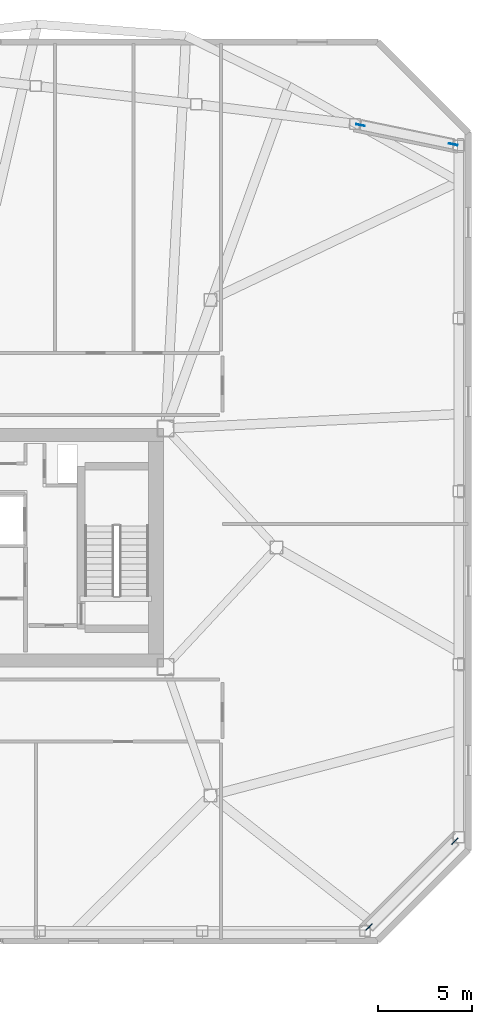
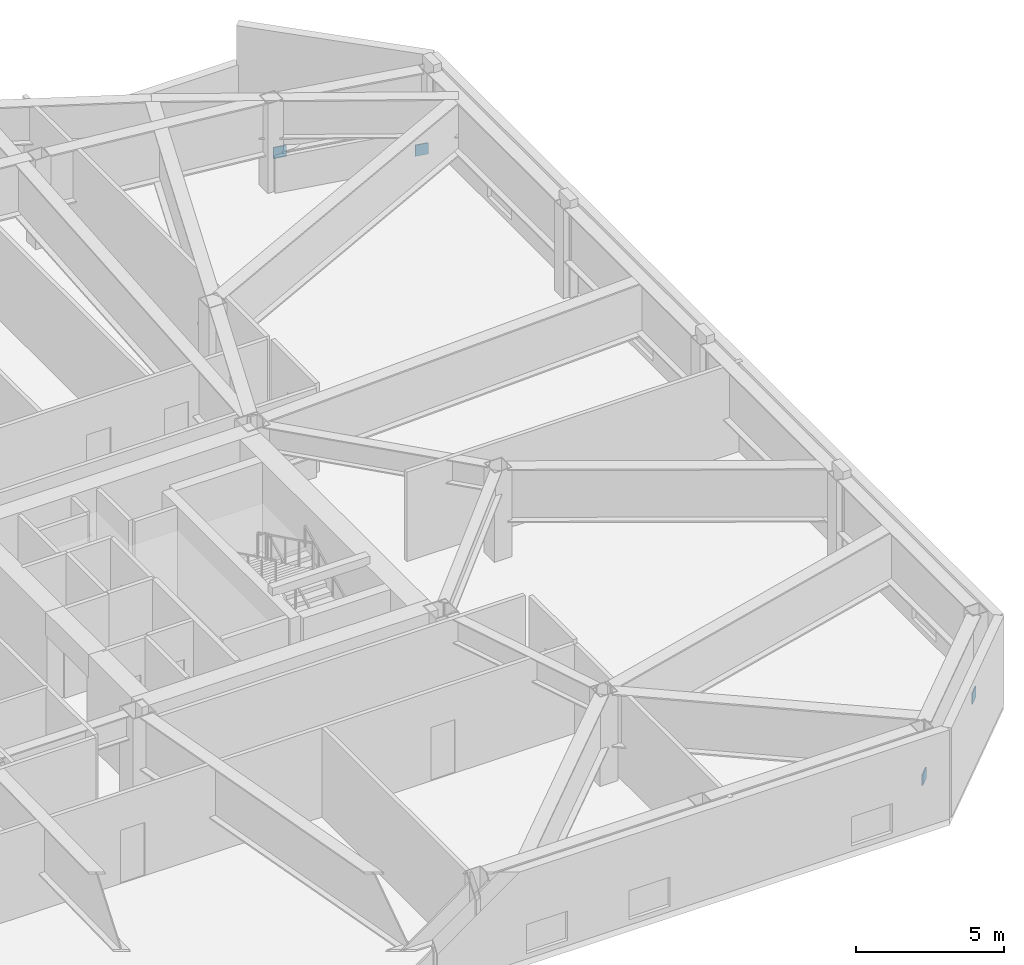
# One storey, part 18 of 19: 4 discrete accessories.
"""IFC4 building model written with IfcOpenShell, lengths in metres."""

import ifcopenshell
import ifcopenshell.guid

model = None  # the IFC model being written
_history = None  # IfcOwnerHistory: only IFC2X3 demands one
_inside = {}  # id of a spatial element -> (the spatial element, [elements in it])
_under = {}  # id of a project, library or spatial element -> (it, [spatial elements below it])
_declared = {}  # id of a project -> (the project, [libraries it declares])
_typed = {}  # id of a type object -> (the type object, [elements of that type])
_made_of = {}  # id of a material, layer set ... -> (it, [elements and type objects made of it])


def new_model(schema):
    """Start an empty IFC model of exactly this schema.

    Asked for "IFC4X3", IfcOpenShell would pick the latest addendum, in which some entities
    have other attributes; the version numbers below select the first issue.
    IFC2X3 requires an IfcOwnerHistory on every rooted entity: one is made here for all.
    """
    global model, _history
    if schema == "IFC4X3":
        model = ifcopenshell.file(schema_version=(4, 3, 0, 0))
    else:
        model = ifcopenshell.file(schema=schema)
    _inside.clear()
    _under.clear()
    _declared.clear()
    _typed.clear()
    _made_of.clear()
    _history = None
    if model.schema == "IFC2X3":
        org = make("IfcOrganization", Name="unknown")
        user = make(
            "IfcPersonAndOrganization",
            ThePerson=make("IfcPerson", FamilyName="unknown"),
            TheOrganization=org,
        )
        app = make(
            "IfcApplication",
            ApplicationDeveloper=org,
            Version="unknown",
            ApplicationFullName="unknown",
            ApplicationIdentifier="unknown",
        )
        _history = make(
            "IfcOwnerHistory",
            OwningUser=user,
            OwningApplication=app,
            ChangeAction="ADDED",
            CreationDate=0,
        )
    return model


def make(cls, **values):
    """One entity of the class cls with the attributes given. An attribute that is None is left unset."""
    return model.create_entity(
        cls, **{name: value for name, value in values.items() if value is not None}
    )


def rooted(cls, **values):
    """An entity with a GlobalId (a new one), such as an element, a storey or a relation."""
    return make(cls, GlobalId=ifcopenshell.guid.new(), OwnerHistory=_history, **values)


def si_unit(unit_type, name, prefix=None):
    """IfcSIUnit, for example si_unit("LENGTHUNIT", "METRE", prefix="MILLI")."""
    return make("IfcSIUnit", UnitType=unit_type, Prefix=prefix, Name=name)


def assignment(units):
    """IfcUnitAssignment: the units of a project."""
    return None if units is None else make("IfcUnitAssignment", Units=units)


def point(xyz):
    """IfcCartesianPoint."""
    return None if xyz is None else make("IfcCartesianPoint", Coordinates=xyz)


def direction(xyz):
    """IfcDirection."""
    return None if xyz is None else make("IfcDirection", DirectionRatios=xyz)


def frame(location, z_axis=None, x_axis=None):
    """IfcAxis2Placement3D, a coordinate frame: its origin and axes. An axis left out is left unset."""
    return make(
        "IfcAxis2Placement3D",
        Location=point(location),
        Axis=direction(z_axis),
        RefDirection=direction(x_axis),
    )


def frame_2d(location, x_axis=None):
    """IfcAxis2Placement2D, a coordinate frame in the plane: its origin and x axis."""
    return make(
        "IfcAxis2Placement2D", Location=point(location), RefDirection=direction(x_axis)
    )


def origin():
    """The frame at (0, 0, 0) with its axes left unset."""
    return frame((0.0, 0.0, 0.0))


def origin_2d():
    """The frame at (0, 0) in the plane with its x axis left unset."""
    return frame_2d((0.0, 0.0))


def place(relative_to, where):
    """IfcLocalPlacement: puts the frame where relative to a parent placement (None: the world)."""
    return make(
        "IfcLocalPlacement", PlacementRelTo=relative_to, RelativePlacement=where
    )


def context(
    kind, dimensions, precision=None, world=None, true_north=None, identifier=None
):
    """IfcGeometricRepresentationContext, for example the 3D "Model" context."""
    return make(
        "IfcGeometricRepresentationContext",
        ContextIdentifier=identifier,
        ContextType=kind,
        CoordinateSpaceDimension=dimensions,
        Precision=precision,
        WorldCoordinateSystem=world,
        TrueNorth=true_north,
    )


def subcontext(parent, identifier, kind, view, scale=None):
    """IfcGeometricRepresentationSubContext, for example "Body" below "Model"."""
    return make(
        "IfcGeometricRepresentationSubContext",
        ContextIdentifier=identifier,
        ContextType=kind,
        ParentContext=parent,
        TargetScale=scale,
        TargetView=view,
    )


def project(units=None, contexts=None):
    """IfcProject with its units and contexts."""
    return rooted(
        "IfcProject",
        Name="project",
        RepresentationContexts=contexts,
        UnitsInContext=assignment(units),
    )


def spatial(cls, under=None, at=None, **own):
    """A site, building, storey or space (cls), placed at a placement, below another one or the project."""
    s = rooted(cls, ObjectPlacement=at, **own)
    if under is not None:
        _under.setdefault(under.id(), (under, []))[1].append(s)
    return s


def profile(cls, at=None, kind="AREA", **sizes):
    """A parametric profile (cls). Its sizes go by their IFC names, for example OverallWidth=200.0."""
    return make(cls, ProfileType=kind, Position=at, **sizes)


def rectangle(**sizes):
    """IfcRectangleProfileDef."""
    return profile("IfcRectangleProfileDef", **sizes)


def extrude(swept, where, along, depth):
    """IfcExtrudedAreaSolid: the profile swept, set in the frame where, extruded along a direction by depth."""
    return make(
        "IfcExtrudedAreaSolid",
        SweptArea=swept,
        Position=where,
        ExtrudedDirection=direction(along),
        Depth=depth,
    )


def shape(context_of_items, identifier, shape_type, items):
    """IfcShapeRepresentation: the items that make up one representation, for example the "Body"."""
    return make(
        "IfcShapeRepresentation",
        ContextOfItems=context_of_items,
        RepresentationIdentifier=identifier,
        RepresentationType=shape_type,
        Items=items,
    )


def material(Name=None, Category=None):
    """IfcMaterial."""
    return make("IfcMaterial", Name=Name, Category=Category)


def made_of(thing, what):
    """Note that an element or type object is made of a material, layer set ...; save() writes the relation."""
    if what is not None:
        _made_of.setdefault(what.id(), (what, []))[1].append(thing)
    return thing


def type_object(cls, material=None, **own):
    """A type object (cls), such as IfcWallType, which elements share."""
    return made_of(rooted(cls, **own), material)


def element(
    cls,
    number,
    at=None,
    inside=None,
    cuts=None,
    type_object=None,
    material=None,
    context=None,
    identifier="Body",
    shape_type=None,
    held_by="IfcProductDefinitionShape",
    body=None,
    shapes=None,
    **own,
):
    """One element of the class cls, such as IfcWall. Its Tag is "e" and its number.

    at: its placement. inside: the storey or other place that contains it. cuts: it is an
    opening in that element (IfcRelVoidsElement). A single representation is given by context,
    identifier, shape_type and body (its items); several are given by shapes. held_by: the class
    of the entity that holds the representations. save() writes the other relations.
    """
    e = rooted(cls, Tag="e%d" % number, ObjectPlacement=at, **own)
    if body is not None:
        shapes = [shape(context, identifier, shape_type, body)]
    if shapes is not None:
        e.Representation = make(held_by, Representations=shapes)
    if inside is not None:
        _inside.setdefault(inside.id(), (inside, []))[1].append(e)
    if cuts is not None:
        rooted(
            "IfcRelVoidsElement", RelatingBuildingElement=cuts, RelatedOpeningElement=e
        )
    if type_object is not None:
        _typed.setdefault(type_object.id(), (type_object, []))[1].append(e)
    return made_of(e, material)


def aggregate(whole, parts):
    """IfcRelAggregates: a whole, such as a stair, and the parts it consists of."""
    return rooted("IfcRelAggregates", RelatingObject=whole, RelatedObjects=parts)


def save(model, path):
    """Write the relations noted so far, then the file.

    IfcRelAggregates (storeys below a building ...), IfcRelContainedInSpatialStructure (elements
    in a storey), IfcRelDefinesByType, IfcRelAssociatesMaterial and IfcRelDeclares: one each for
    every whole, place, type object, material and project.
    """
    for whole, parts in _under.values():
        aggregate(whole, parts)
    for where, things in _inside.values():
        rooted(
            "IfcRelContainedInSpatialStructure",
            RelatedElements=things,
            RelatingStructure=where,
        )
    for kind, things in _typed.values():
        rooted("IfcRelDefinesByType", RelatedObjects=things, RelatingType=kind)
    for what, things in _made_of.values():
        rooted("IfcRelAssociatesMaterial", RelatedObjects=things, RelatingMaterial=what)
    for by, libraries in _declared.values():
        rooted("IfcRelDeclares", RelatingContext=by, RelatedDefinitions=libraries)
    model.write(path)


model = new_model("IFC4")

# Units and contexts
model_context = context("Model", 3, precision=1e-05, world=origin(), true_north=direction((0.0, 1.0)))
body_context = subcontext(model_context, "Body", "Model", "MODEL_VIEW")
ifc_project = project(units=[si_unit("LENGTHUNIT", "METRE"), si_unit("AREAUNIT", "SQUARE_METRE"), si_unit("VOLUMEUNIT", "CUBIC_METRE"), si_unit("PLANEANGLEUNIT", "RADIAN"), si_unit("MASSUNIT", "GRAM", prefix="KILO")], contexts=[model_context])

# Site, building, storey
site_placement = place(None, origin())
site = spatial("IfcSite", under=ifc_project, at=site_placement, CompositionType="ELEMENT")
building_placement = place(site_placement, origin())
building = spatial("IfcBuilding", under=site, at=building_placement, Name="Tavrogorsk Clinical Tower", CompositionType="ELEMENT")
storey_placement = place(building_placement, frame((0.0, 0.0, 204.199951171875)))
storey = spatial("IfcBuildingStorey", under=building, at=storey_placement, Name="L47", CompositionType="ELEMENT", Elevation=204.199951171875)

# Discrete accessories
ifc_material = material(Name="Structural steel S440", Category="steel")
discrete_accessory_type = type_object("IfcDiscreteAccessoryType", Name="GussetPlateBracket_25", PredefinedType="BRACKET", material=ifc_material)
for number, where, z_axis, x_axis, name in (
    (1, (37.5048828125, -15.635009765625, 0.11865234375), (0.0, 0.0, 1.0), (-0.707106781187, -0.707106781187, 0.0), "L47 Brace Gusset Plate EXOCRN-L47-1-A"),
    (2, (32.93505859375, -20.204833984375, 1.1513671875), (0.0, 0.0, 1.0), (-0.707106781187, -0.707106781187, 0.0), "L47 Brace Gusset Plate EXOCRN-L47-1-B"),
    (3, (37.42431640625, 21.481201171875, 0.130615234375), (0.0, 0.0, 1.0), (-0.979187402648, 0.202958198889, 0.0), "L47 Brace Gusset Plate EXOCRN-L47-2-A"),
    (4, (32.487060546875, 22.504638671875, 1.1396484375), (0.0, 0.0, 1.0), (-0.979187402648, 0.202958198889, 0.0), "L47 Brace Gusset Plate EXOCRN-L47-2-B"),
):
    element("IfcDiscreteAccessory", number, at=place(storey_placement, frame(where, z_axis=z_axis, x_axis=x_axis)), inside=storey, type_object=discrete_accessory_type, Name=name, PredefinedType="BRACKET", context=body_context, shape_type="SweptSolid", body=[
        extrude(rectangle(XDim=0.4599609375, YDim=0.0400390625, at=origin_2d()), origin(), (0.0, 0.0, 1.0), 0.4599609375),
    ])

save(model, "model.ifc")
